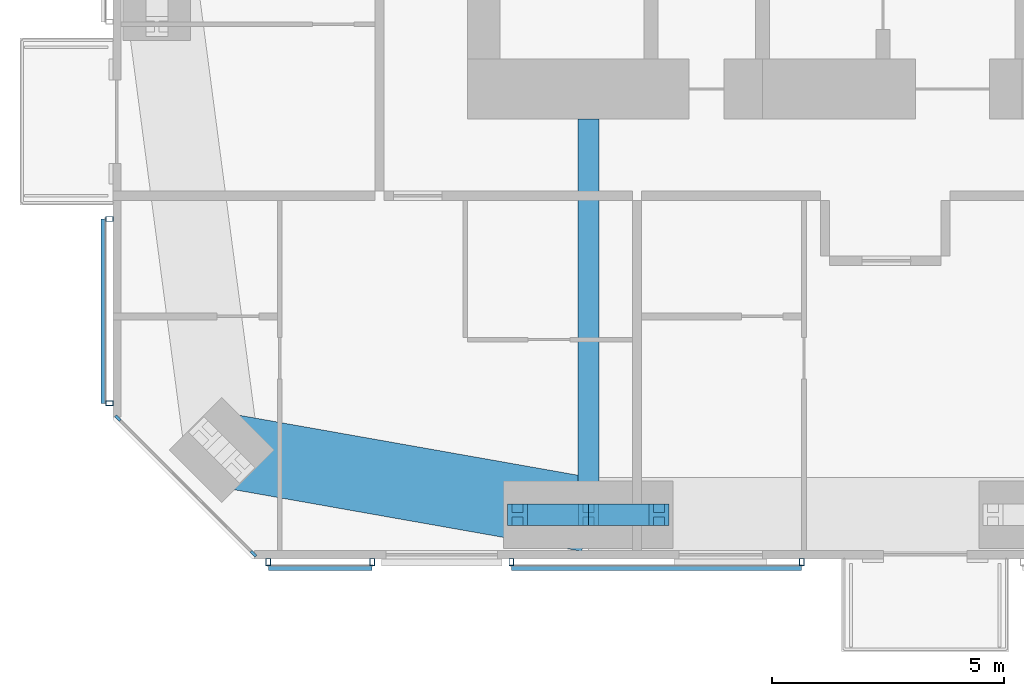
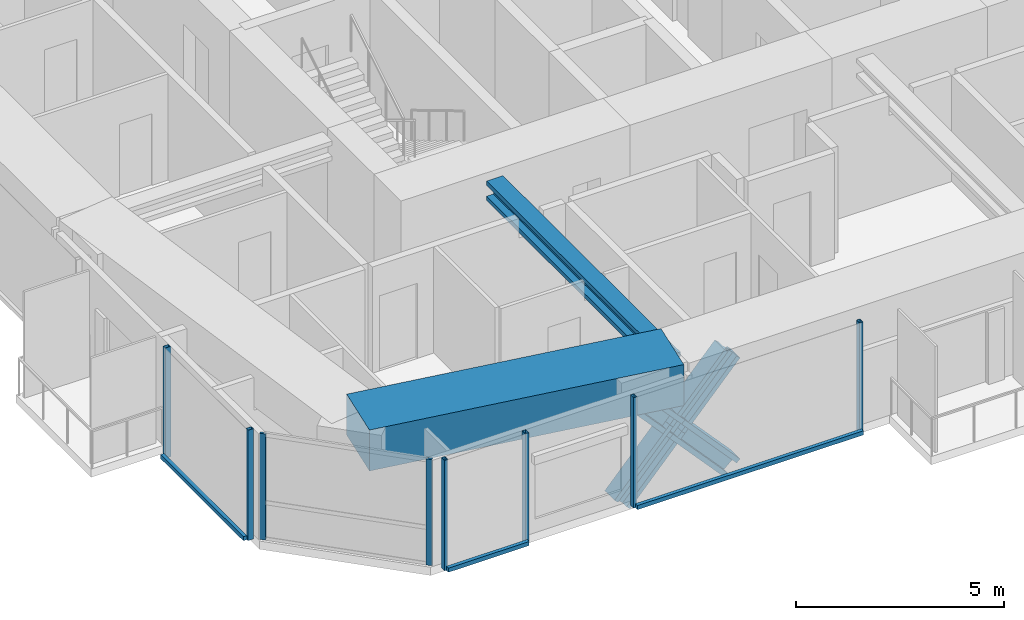
# One storey, part 2 of 23: 15 members, 2 beams, 4 elements without a shape of their own.
"""IFC4 building model written with IfcOpenShell, lengths in metres."""

from ifc_helpers import new_model, si_unit, direction, frame, origin, origin_2d, place, context, subcontext, project, spatial, rectangle, hollow_rectangle, i_section, extrude, material, material_profile, profile_set, type_object, element, aggregate, save


model = new_model("IFC4")

# Units and contexts
model_context = context("Model", 3, precision=1e-05, world=origin(), true_north=direction((0.0, 1.0)))
body_context = subcontext(model_context, "Body", "Model", "MODEL_VIEW")
ifc_project = project(units=[si_unit("LENGTHUNIT", "METRE"), si_unit("AREAUNIT", "SQUARE_METRE"), si_unit("VOLUMEUNIT", "CUBIC_METRE"), si_unit("PLANEANGLEUNIT", "RADIAN"), si_unit("MASSUNIT", "GRAM", prefix="KILO")], contexts=[model_context])

# Site, building, storey
site_placement = place(None, origin())
site = spatial("IfcSite", under=ifc_project, at=site_placement, CompositionType="ELEMENT")
building_placement = place(site_placement, origin())
building = spatial("IfcBuilding", under=site, at=building_placement, Name="Jalousie Tower", CompositionType="ELEMENT")
storey_placement = place(building_placement, frame((0.0, 0.0, 187.85009765625)))
storey = spatial("IfcBuildingStorey", under=building, at=storey_placement, Name="L51", CompositionType="ELEMENT", Elevation=187.85009765625)

# Curtain wall, members
ifc_material_1 = material(Name="Aluminium curtain wall", Category="aluminium")
curtain_wall_type_1 = type_object("IfcCurtainWallType", Name="CORNER WINDOW WALL", PredefinedType="USERDEFINED", material=ifc_material_1)
curtain_wall_1_placement = place(storey_placement, origin())
curtain_wall_1 = element("IfcCurtainWall", 1, at=curtain_wall_1_placement, inside=storey, type_object=curtain_wall_type_1, Name="Corner Window Wall L51 8", ObjectType="CORNER WINDOW WALL", PredefinedType="USERDEFINED")
ifc_material_2 = material(Name="Aluminium mullion", Category="aluminium")
ifc_material_profile_1 = material_profile(ifc_material_2, rectangle(XDim=0.06005859375, YDim=0.14990234375, at=origin_2d()), Name="MULLION 60x150")
ifc_profile_set_1 = profile_set([ifc_material_profile_1], Name="Aluminium mullion")
member_type_1 = type_object("IfcMemberType", Name="CORNER WINDOW WALL MULLION", PredefinedType="MULLION", material=ifc_profile_set_1)
member_1_placement = place(storey_placement, frame((12.108642578125, 3.030029296875, 0.0), z_axis=(0.0, 0.0, 1.0), x_axis=(0.707106781187, 0.707106781187, 0.0)))
member_1 = element("IfcMember", 2, at=member_1_placement, type_object=member_type_1, Name="CW-C mullion 1", PredefinedType="MULLION", context=body_context, shape_type="SweptSolid", body=[
    extrude(rectangle(XDim=0.06005859375, YDim=0.14990234375, at=origin_2d()), origin(), (0.0, 0.0, 1.0), 3.10986328125),
])
member_2_placement = place(storey_placement, frame((15.030029296875, 0.108642578125, 0.0), z_axis=(0.0, 0.0, 1.0), x_axis=(0.707106781187, 0.707106781187, 0.0)))
member_2 = element("IfcMember", 3, at=member_2_placement, type_object=member_type_1, Name="CW-C mullion 2", PredefinedType="MULLION", context=body_context, shape_type="SweptSolid", body=[
    extrude(rectangle(XDim=0.06005859375, YDim=0.14990234375, at=origin_2d()), origin(), (0.0, 0.0, 1.0), 3.10986328125),
])
aggregate(curtain_wall_1, [member_1, member_2])

# Beam
ifc_material_3 = material(Name="Steel ASTM A992 Grade 50", Category="steel")
ifc_material_profile_2 = material_profile(ifc_material_3, i_section(OverallWidth=0.45458984375, OverallDepth=0.569091796875, WebThickness=0.077880859375, FlangeThickness=0.124755859375, at=origin_2d()), Name="W14X730")
ifc_profile_set_2 = profile_set([ifc_material_profile_2], Name="Steel ASTM A992 Grade 50")
beam_type_1 = type_object("IfcBeamType", Name="LEAN COLLECTOR W14X730", PredefinedType="BEAM", material=ifc_profile_set_2)
beam_1_placement = place(storey_placement, frame((22.25, 0.949951171875, 2.825439453125), z_axis=(0.0, 1.0, 0.0), x_axis=(-1.0, 0.0, 0.0)))
element("IfcBeam", 4, at=beam_1_placement, inside=storey, type_object=beam_type_1, Name="Lean collector under L52", PredefinedType="BEAM", context=body_context, shape_type="SweptSolid", body=[
    extrude(i_section(OverallWidth=0.45458984375, OverallDepth=0.569091796875, WebThickness=0.077880859375, FlangeThickness=0.124755859375, at=origin_2d()), origin(), (0.0, 0.0, 1.0), 8.525146484375),
])

# Members
ifc_material_4 = material(Name="Steel ASTM A992 Grade 50", Category="steel")
ifc_material_profile_3 = material_profile(ifc_material_4, i_section(OverallWidth=0.472412109375, OverallDepth=0.5791015625, WebThickness=0.094970703125, FlangeThickness=0.1298828125, at=origin_2d()), Name="W14X808")
ifc_profile_set_3 = profile_set([ifc_material_profile_3], Name="Steel ASTM A992 Grade 50")
member_type_2 = type_object("IfcMemberType", Name="PERIMETER BRACE W14X808", PredefinedType="BRACE", material=ifc_profile_set_3)
for number, where, z_axis, x_axis, name in (
    (5, (20.72509765625, 0.949951171875, -0.60009765625), (0.673187629365, 0.0, 0.739471713908), (0.0, 1.0, 0.0), "Perimeter brace 02 L51 part 1"),
    (6, (22.25, 0.949951171875, 1.074951171875), (0.673187629365, 0.0, 0.739471713908), (0.0, 1.0, 0.0), "Perimeter brace 02 L51 part 2"),
    (7, (23.77490234375, 0.949951171875, -0.60009765625), (-0.673187629365, 0.0, 0.739471713908), (0.0, -1.0, 0.0), "Perimeter brace 02 L51 part 3"),
    (8, (22.25, 0.949951171875, 1.074951171875), (-0.673187629365, 0.0, 0.739471713908), (0.0, -1.0, 0.0), "Perimeter brace 02 L51 part 4"),
):
    element("IfcMember", number, at=place(storey_placement, frame(where, z_axis=z_axis, x_axis=x_axis)), inside=storey, type_object=member_type_2, Name=name, PredefinedType="BRACE", context=body_context, shape_type="SweptSolid", body=[
        extrude(i_section(OverallWidth=0.472412109375, OverallDepth=0.5791015625, WebThickness=0.094970703125, FlangeThickness=0.1298828125, at=origin_2d()), origin(), (0.0, 0.0, 1.0), 2.26513671875),
    ])

# Beam
ifc_material_5 = material(Name="Concrete f'c 40 MPa", Category="concrete")
ifc_material_profile_4 = material_profile(ifc_material_5, rectangle(XDim=1.60009765625, YDim=1.199951171875, at=origin_2d()), Name="RC 1600x1200")
ifc_profile_set_4 = profile_set([ifc_material_profile_4], Name="Concrete f'c 40 MPa")
beam_type_2 = type_object("IfcBeamType", Name="RC BEAM 1600x1200", PredefinedType="BEAM", material=ifc_profile_set_4)
beam_2_placement = place(storey_placement, frame((14.348388671875, 2.348388671875, 2.75), z_axis=(0.984697370688, -0.174273027632, 0.0), x_axis=(0.174273027632, 0.984697370688, 0.0)))
element("IfcBeam", 9, at=beam_2_placement, inside=storey, type_object=beam_type_2, Name="Edge band beam 01-02 under L52", PredefinedType="BEAM", context=body_context, shape_type="SweptSolid", body=[
    extrude(rectangle(XDim=1.60009765625, YDim=1.199951171875, at=origin_2d()), origin(), (0.0, 0.0, 1.0), 8.0244140625),
])

# Curtain wall, members
ifc_material_6 = material(Name="Perforated aluminium sheet", Category="aluminium")
curtain_wall_type_2 = type_object("IfcCurtainWallType", Name="SOLAR SCREEN SS-1", PredefinedType="USERDEFINED", material=ifc_material_6)
curtain_wall_2_placement = place(storey_placement, origin())
curtain_wall_2 = element("IfcCurtainWall", 10, at=curtain_wall_2_placement, inside=storey, type_object=curtain_wall_type_2, Name="Solar screen L51", ObjectType="SOLAR SCREEN SS-1", PredefinedType="USERDEFINED")
ifc_material_7 = material(Name="Steel ASTM A500 Grade C", Category="steel")
ifc_material_profile_5 = material_profile(ifc_material_7, hollow_rectangle(XDim=0.1015625, YDim=0.15234375, WallThickness=0.00634765625, at=origin_2d()), Name="HSS6X4X1/4")
ifc_profile_set_5 = profile_set([ifc_material_profile_5], Name="Steel ASTM A500 Grade C")
member_type_3 = type_object("IfcMemberType", Name="SOLAR SCREEN SS-1 MULLION", PredefinedType="MULLION", material=ifc_profile_set_5)
member_3_placement = place(storey_placement, frame((15.351318359375, -0.0712890625, -0.1201171875), z_axis=(0.0, 0.0, 1.0), x_axis=(1.0, 0.0, 0.0)))
member_3 = element("IfcMember", 11, at=member_3_placement, type_object=member_type_3, Name="SS1 post 1", PredefinedType="MULLION", context=body_context, shape_type="SweptSolid", body=[
    extrude(hollow_rectangle(XDim=0.1015625, YDim=0.15234375, WallThickness=0.00634765625, at=origin_2d()), origin(), (0.0, 0.0, 1.0), 3.22998046875),
])
member_4_placement = place(storey_placement, frame((17.59130859375, -0.0712890625, -0.1201171875), z_axis=(0.0, 0.0, 1.0), x_axis=(1.0, 0.0, 0.0)))
member_4 = element("IfcMember", 12, at=member_4_placement, type_object=member_type_3, Name="SS1 post 2", PredefinedType="MULLION", context=body_context, shape_type="SweptSolid", body=[
    extrude(hollow_rectangle(XDim=0.1015625, YDim=0.15234375, WallThickness=0.00634765625, at=origin_2d()), origin(), (0.0, 0.0, 1.0), 3.22998046875),
])

curtain_wall_3_placement = place(storey_placement, origin())
curtain_wall_3 = element("IfcCurtainWall", 13, at=curtain_wall_3_placement, inside=storey, type_object=curtain_wall_type_2, Name="Solar screen L51", ObjectType="SOLAR SCREEN SS-1", PredefinedType="USERDEFINED")
member_5_placement = place(storey_placement, frame((20.59130859375, -0.0712890625, -0.1201171875), z_axis=(0.0, 0.0, 1.0), x_axis=(1.0, 0.0, 0.0)))
member_5 = element("IfcMember", 14, at=member_5_placement, type_object=member_type_3, Name="SS1 post 1", PredefinedType="MULLION", context=body_context, shape_type="SweptSolid", body=[
    extrude(hollow_rectangle(XDim=0.1015625, YDim=0.15234375, WallThickness=0.00634765625, at=origin_2d()), origin(), (0.0, 0.0, 1.0), 3.22998046875),
])
member_6_placement = place(storey_placement, frame((26.85009765625, -0.0712890625, -0.1201171875), z_axis=(0.0, 0.0, 1.0), x_axis=(1.0, 0.0, 0.0)))
member_6 = element("IfcMember", 15, at=member_6_placement, type_object=member_type_3, Name="SS1 post 2", PredefinedType="MULLION", context=body_context, shape_type="SweptSolid", body=[
    extrude(hollow_rectangle(XDim=0.1015625, YDim=0.15234375, WallThickness=0.00634765625, at=origin_2d()), origin(), (0.0, 0.0, 1.0), 3.22998046875),
])

curtain_wall_4_placement = place(storey_placement, origin())
curtain_wall_4 = element("IfcCurtainWall", 16, at=curtain_wall_4_placement, inside=storey, type_object=curtain_wall_type_2, Name="Solar screen L51", ObjectType="SOLAR SCREEN SS-1", PredefinedType="USERDEFINED")
member_7_placement = place(storey_placement, frame((11.9287109375, 7.324951171875, -0.1201171875), z_axis=(0.0, 0.0, 1.0), x_axis=(0.0, -1.0, 0.0)))
member_7 = element("IfcMember", 17, at=member_7_placement, type_object=member_type_3, Name="SS1 post 1", PredefinedType="MULLION", context=body_context, shape_type="SweptSolid", body=[
    extrude(hollow_rectangle(XDim=0.1015625, YDim=0.15234375, WallThickness=0.00634765625, at=origin_2d()), origin(), (0.0, 0.0, 1.0), 3.22998046875),
])
member_8_placement = place(storey_placement, frame((11.9287109375, 3.351318359375, -0.1201171875), z_axis=(0.0, 0.0, 1.0), x_axis=(0.0, -1.0, 0.0)))
member_8 = element("IfcMember", 18, at=member_8_placement, type_object=member_type_3, Name="SS1 post 2", PredefinedType="MULLION", context=body_context, shape_type="SweptSolid", body=[
    extrude(hollow_rectangle(XDim=0.1015625, YDim=0.15234375, WallThickness=0.00634765625, at=origin_2d()), origin(), (0.0, 0.0, 1.0), 3.22998046875),
])

# Member
ifc_material_8 = material(Name="Extruded aluminium screen rail", Category="aluminium")
ifc_material_profile_6 = material_profile(ifc_material_8, rectangle(XDim=0.1015625, YDim=0.1201171875, at=origin_2d()), Name="RAIL 102x120")
ifc_profile_set_6 = profile_set([ifc_material_profile_6], Name="Extruded aluminium screen rail")
member_type_4 = type_object("IfcMemberType", Name="SOLAR SCREEN SS-1 TRANSOM", PredefinedType="USERDEFINED", material=ifc_profile_set_6)
member_9_placement = place(storey_placement, frame((15.351318359375, -0.1982421875, -0.06005859375), z_axis=(1.0, 0.0, 0.0), x_axis=(0.0, 1.0, 0.0)))
member_9 = element("IfcMember", 19, at=member_9_placement, type_object=member_type_4, Name="SS1 rail", ObjectType="TRANSOM", PredefinedType="USERDEFINED", context=body_context, shape_type="SweptSolid", body=[
    extrude(rectangle(XDim=0.1015625, YDim=0.1201171875, at=origin_2d()), origin(), (0.0, 0.0, 1.0), 2.239990234375),
])

aggregate(curtain_wall_2, [member_3, member_4, member_9])

member_10_placement = place(storey_placement, frame((20.59130859375, -0.1982421875, -0.06005859375), z_axis=(1.0, 0.0, 0.0), x_axis=(0.0, 1.0, 0.0)))
member_10 = element("IfcMember", 20, at=member_10_placement, type_object=member_type_4, Name="SS1 rail", ObjectType="TRANSOM", PredefinedType="USERDEFINED", context=body_context, shape_type="SweptSolid", body=[
    extrude(rectangle(XDim=0.1015625, YDim=0.1201171875, at=origin_2d()), origin(), (0.0, 0.0, 1.0), 6.2587890625),
])

aggregate(curtain_wall_3, [member_5, member_6, member_10])

member_11_placement = place(storey_placement, frame((11.8017578125, 7.324951171875, -0.06005859375), z_axis=(0.0, -1.0, 0.0), x_axis=(1.0, 0.0, 0.0)))
member_11 = element("IfcMember", 21, at=member_11_placement, type_object=member_type_4, Name="SS1 rail", ObjectType="TRANSOM", PredefinedType="USERDEFINED", context=body_context, shape_type="SweptSolid", body=[
    extrude(rectangle(XDim=0.1015625, YDim=0.1201171875, at=origin_2d()), origin(), (0.0, 0.0, 1.0), 3.9736328125),
])

aggregate(curtain_wall_4, [member_7, member_8, member_11])

save(model, "model.ifc")
